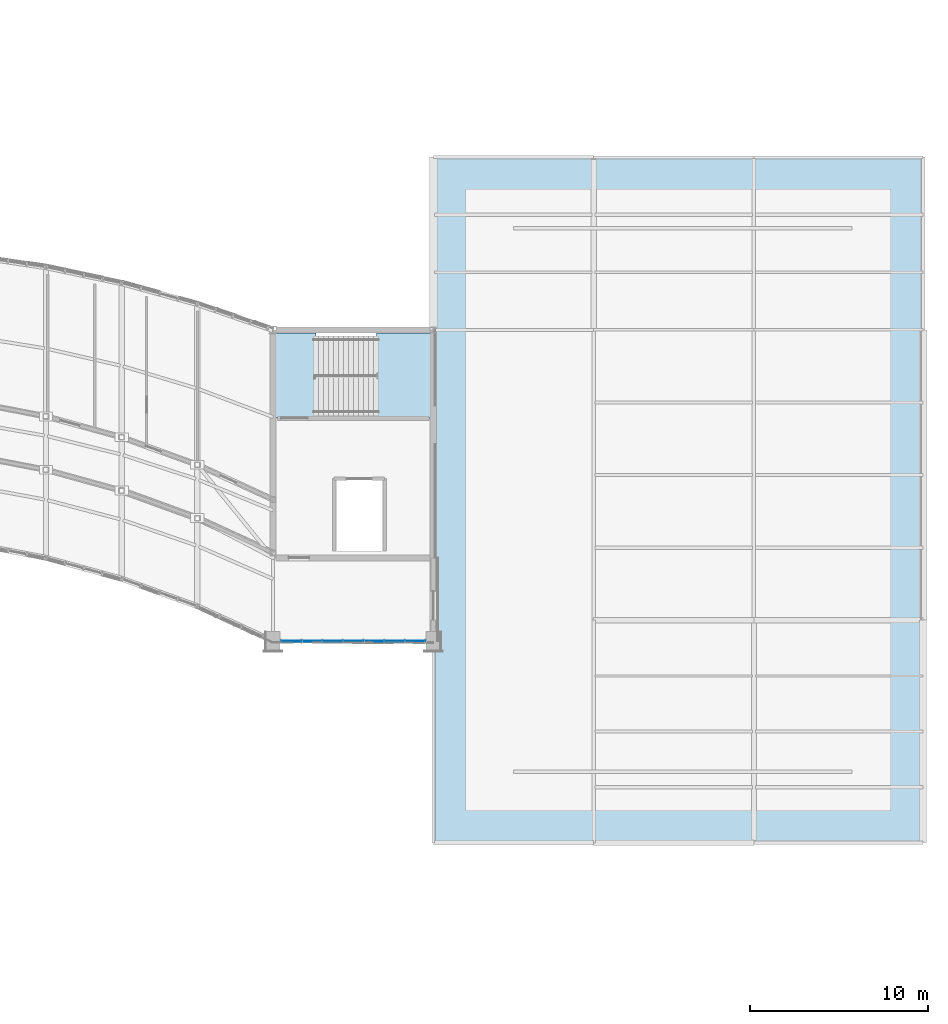
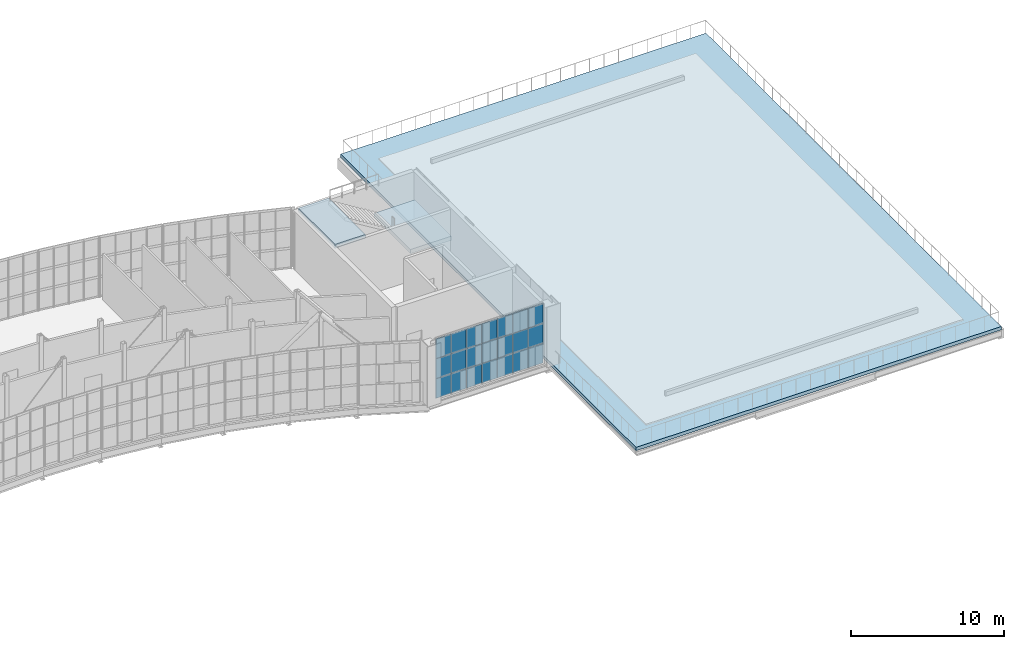
# One storey, part 48 of 66: 21 plates, 3 slabs, 2 elements without a shape of their own.
"""IFC4 building model written with IfcOpenShell, lengths in metres."""

from ifc_helpers import new_model, si_unit, direction, frame, origin, origin_2d, place, context, subcontext, project, spatial, polyline, rectangle, outline, extrude, material, layer, layer_set, type_object, element, aggregate, save


model = new_model("IFC4")

# Units and contexts
model_context = context("Model", 3, precision=1e-05, world=origin(), true_north=direction((0.0, 1.0)))
body_context = subcontext(model_context, "Body", "Model", "MODEL_VIEW")
ifc_project = project(units=[si_unit("LENGTHUNIT", "METRE"), si_unit("AREAUNIT", "SQUARE_METRE"), si_unit("VOLUMEUNIT", "CUBIC_METRE"), si_unit("PLANEANGLEUNIT", "RADIAN"), si_unit("MASSUNIT", "GRAM", prefix="KILO")], contexts=[model_context])

# Site, building, storey
site_placement = place(None, origin())
site = spatial("IfcSite", under=ifc_project, at=site_placement, CompositionType="ELEMENT")
building_placement = place(site_placement, origin())
building = spatial("IfcBuilding", under=site, at=building_placement, Name="Solvikara Media Centre", CompositionType="ELEMENT")
storey_placement = place(building_placement, frame((0.0, 0.0, 19.800048828125)))
storey = spatial("IfcBuildingStorey", under=building, at=storey_placement, Name="L04", CompositionType="ELEMENT", Elevation=19.800048828125)

# Curtain wall, plates
ifc_material_1 = material(Name="Anodised aluminium EN AW-6063", Category="aluminium")
curtain_wall_type = type_object("IfcCurtainWallType", Name="CW-10", PredefinedType="NOTDEFINED", material=ifc_material_1)
curtain_wall_placement = place(storey_placement, origin())
curtain_wall = element("IfcCurtainWall", 1, at=curtain_wall_placement, inside=storey, type_object=curtain_wall_type, Name="CW-L04-BHES", PredefinedType="NOTDEFINED")
ifc_material_2 = material(Name="Laminated solar-control cyan vision glass", Category="glass")
ifc_layer_1 = layer(ifc_material_2, 0.035888671875)
ifc_layer_set_1 = layer_set([ifc_layer_1], Name="Laminated solar-control cyan vision glass")
plate_type_1 = type_object("IfcPlateType", Name="PN-01", PredefinedType="CURTAIN_PANEL", material=ifc_layer_set_1)
plate_1_placement = place(storey_placement, frame((129.679931640625, 19.323974609375, 0.03466796875), z_axis=(0.0, 0.0, 1.0), x_axis=(1.0, 0.0, 0.0)))
plate_1 = element("IfcPlate", 2, at=plate_1_placement, type_object=plate_type_1, Name="CW-L04-BHES-P0100", PredefinedType="CURTAIN_PANEL", context=body_context, shape_type="SweptSolid", body=[
    extrude(rectangle(XDim=1.1298828125, YDim=0.035888671875, at=origin_2d()), origin(), (0.0, 0.0, 1.0), 1.556884765625),
])
plate_2_placement = place(storey_placement, frame((129.679931640625, 19.323974609375, 1.62158203125), z_axis=(0.0, 0.0, 1.0), x_axis=(1.0, 0.0, 0.0)))
plate_2 = element("IfcPlate", 3, at=plate_2_placement, type_object=plate_type_1, Name="CW-L04-BHES-P0101", PredefinedType="CURTAIN_PANEL", context=body_context, shape_type="SweptSolid", body=[
    extrude(rectangle(XDim=1.1298828125, YDim=0.035888671875, at=origin_2d()), origin(), (0.0, 0.0, 1.0), 1.556884765625),
])
plate_3_placement = place(storey_placement, frame((130.840087890625, 19.323974609375, 0.03466796875), z_axis=(0.0, 0.0, 1.0), x_axis=(1.0, 0.0, 0.0)))
plate_3 = element("IfcPlate", 4, at=plate_3_placement, type_object=plate_type_1, Name="CW-L04-BHES-P0200", PredefinedType="CURTAIN_PANEL", context=body_context, shape_type="SweptSolid", body=[
    extrude(rectangle(XDim=1.1298828125, YDim=0.035888671875, at=origin_2d()), origin(), (0.0, 0.0, 1.0), 1.556884765625),
])
plate_4_placement = place(storey_placement, frame((132.0, 19.323974609375, 0.03466796875), z_axis=(0.0, 0.0, 1.0), x_axis=(1.0, 0.0, 0.0)))
plate_4 = element("IfcPlate", 5, at=plate_4_placement, type_object=plate_type_1, Name="CW-L04-BHES-P0300", PredefinedType="CURTAIN_PANEL", context=body_context, shape_type="SweptSolid", body=[
    extrude(rectangle(XDim=1.1298828125, YDim=0.035888671875, at=origin_2d()), origin(), (0.0, 0.0, 1.0), 1.556884765625),
])
plate_5_placement = place(storey_placement, frame((132.0, 19.323974609375, 1.62158203125), z_axis=(0.0, 0.0, 1.0), x_axis=(1.0, 0.0, 0.0)))
plate_5 = element("IfcPlate", 6, at=plate_5_placement, type_object=plate_type_1, Name="CW-L04-BHES-P0301", PredefinedType="CURTAIN_PANEL", context=body_context, shape_type="SweptSolid", body=[
    extrude(rectangle(XDim=1.1298828125, YDim=0.035888671875, at=origin_2d()), origin(), (0.0, 0.0, 1.0), 1.556884765625),
])
plate_6_placement = place(storey_placement, frame((132.0, 19.323974609375, 3.20849609375), z_axis=(0.0, 0.0, 1.0), x_axis=(1.0, 0.0, 0.0)))
plate_6 = element("IfcPlate", 7, at=plate_6_placement, type_object=plate_type_1, Name="CW-L04-BHES-P0302", PredefinedType="CURTAIN_PANEL", context=body_context, shape_type="SweptSolid", body=[
    extrude(rectangle(XDim=1.1298828125, YDim=0.035888671875, at=origin_2d()), origin(), (0.0, 0.0, 1.0), 1.556884765625),
])
plate_7_placement = place(storey_placement, frame((133.159912109375, 19.323974609375, 0.03466796875), z_axis=(0.0, 0.0, 1.0), x_axis=(1.0, 0.0, 0.0)))
plate_7 = element("IfcPlate", 8, at=plate_7_placement, type_object=plate_type_1, Name="CW-L04-BHES-P0400", PredefinedType="CURTAIN_PANEL", context=body_context, shape_type="SweptSolid", body=[
    extrude(rectangle(XDim=1.1298828125, YDim=0.035888671875, at=origin_2d()), origin(), (0.0, 0.0, 1.0), 1.556884765625),
])
plate_8_placement = place(storey_placement, frame((133.159912109375, 19.323974609375, 3.20849609375), z_axis=(0.0, 0.0, 1.0), x_axis=(1.0, 0.0, 0.0)))
plate_8 = element("IfcPlate", 9, at=plate_8_placement, type_object=plate_type_1, Name="CW-L04-BHES-P0402", PredefinedType="CURTAIN_PANEL", context=body_context, shape_type="SweptSolid", body=[
    extrude(rectangle(XDim=1.1298828125, YDim=0.035888671875, at=origin_2d()), origin(), (0.0, 0.0, 1.0), 1.556884765625),
])
plate_9_placement = place(storey_placement, frame((135.47998046875, 19.323974609375, 0.03466796875), z_axis=(0.0, 0.0, 1.0), x_axis=(1.0, 0.0, 0.0)))
plate_9 = element("IfcPlate", 10, at=plate_9_placement, type_object=plate_type_1, Name="CW-L04-BHES-P0600", PredefinedType="CURTAIN_PANEL", context=body_context, shape_type="SweptSolid", body=[
    extrude(rectangle(XDim=1.1298828125, YDim=0.035888671875, at=origin_2d()), origin(), (0.0, 0.0, 1.0), 1.556884765625),
])
plate_10_placement = place(storey_placement, frame((135.47998046875, 19.323974609375, 1.62158203125), z_axis=(0.0, 0.0, 1.0), x_axis=(1.0, 0.0, 0.0)))
plate_10 = element("IfcPlate", 11, at=plate_10_placement, type_object=plate_type_1, Name="CW-L04-BHES-P0601", PredefinedType="CURTAIN_PANEL", context=body_context, shape_type="SweptSolid", body=[
    extrude(rectangle(XDim=1.1298828125, YDim=0.035888671875, at=origin_2d()), origin(), (0.0, 0.0, 1.0), 1.556884765625),
])
plate_11_placement = place(storey_placement, frame((135.47998046875, 19.323974609375, 3.20849609375), z_axis=(0.0, 0.0, 1.0), x_axis=(1.0, 0.0, 0.0)))
plate_11 = element("IfcPlate", 12, at=plate_11_placement, type_object=plate_type_1, Name="CW-L04-BHES-P0602", PredefinedType="CURTAIN_PANEL", context=body_context, shape_type="SweptSolid", body=[
    extrude(rectangle(XDim=1.1298828125, YDim=0.035888671875, at=origin_2d()), origin(), (0.0, 0.0, 1.0), 1.556884765625),
])
ifc_material_3 = material(Name="Ceramic-fritted teal low-E glass", Category="glass")
ifc_layer_2 = layer(ifc_material_3, 0.0419921875)
ifc_layer_set_2 = layer_set([ifc_layer_2], Name="Ceramic-fritted teal low-E glass")
plate_type_2 = type_object("IfcPlateType", Name="PN-02", PredefinedType="CURTAIN_PANEL", material=ifc_layer_set_2)
plate_12_placement = place(storey_placement, frame((129.679931640625, 19.323974609375, 3.20849609375), z_axis=(0.0, 0.0, 1.0), x_axis=(1.0, 0.0, 0.0)))
plate_12 = element("IfcPlate", 13, at=plate_12_placement, type_object=plate_type_2, Name="CW-L04-BHES-P0102", PredefinedType="CURTAIN_PANEL", context=body_context, shape_type="SweptSolid", body=[
    extrude(rectangle(XDim=1.1298828125, YDim=0.0419921875, at=origin_2d()), origin(), (0.0, 0.0, 1.0), 1.556884765625),
])
plate_13_placement = place(storey_placement, frame((130.840087890625, 19.323974609375, 1.62158203125), z_axis=(0.0, 0.0, 1.0), x_axis=(1.0, 0.0, 0.0)))
plate_13 = element("IfcPlate", 14, at=plate_13_placement, type_object=plate_type_2, Name="CW-L04-BHES-P0201", PredefinedType="CURTAIN_PANEL", context=body_context, shape_type="SweptSolid", body=[
    extrude(rectangle(XDim=1.1298828125, YDim=0.0419921875, at=origin_2d()), origin(), (0.0, 0.0, 1.0), 1.556884765625),
])
plate_14_placement = place(storey_placement, frame((133.159912109375, 19.323974609375, 1.62158203125), z_axis=(0.0, 0.0, 1.0), x_axis=(1.0, 0.0, 0.0)))
plate_14 = element("IfcPlate", 15, at=plate_14_placement, type_object=plate_type_2, Name="CW-L04-BHES-P0401", PredefinedType="CURTAIN_PANEL", context=body_context, shape_type="SweptSolid", body=[
    extrude(rectangle(XDim=1.1298828125, YDim=0.0419921875, at=origin_2d()), origin(), (0.0, 0.0, 1.0), 1.556884765625),
])
ifc_material_4 = material(Name="Insulated silver-pearl glass spandrel panel", Category="glass")
ifc_layer_3 = layer(ifc_material_4, 0.054931640625)
ifc_layer_set_3 = layer_set([ifc_layer_3], Name="Insulated silver-pearl glass spandrel panel")
plate_type_3 = type_object("IfcPlateType", Name="PN-03", PredefinedType="CURTAIN_PANEL", material=ifc_layer_set_3)
plate_15_placement = place(storey_placement, frame((128.52001953125, 19.323974609375, 0.03466796875), z_axis=(0.0, 0.0, 1.0), x_axis=(1.0, 0.0, 0.0)))
plate_15 = element("IfcPlate", 16, at=plate_15_placement, type_object=plate_type_3, Name="CW-L04-BHES-P0000", PredefinedType="CURTAIN_PANEL", context=body_context, shape_type="SweptSolid", body=[
    extrude(rectangle(XDim=1.1298828125, YDim=0.054931640625, at=origin_2d()), origin(), (0.0, 0.0, 1.0), 1.556884765625),
])
plate_16_placement = place(storey_placement, frame((128.52001953125, 19.323974609375, 1.62158203125), z_axis=(0.0, 0.0, 1.0), x_axis=(1.0, 0.0, 0.0)))
plate_16 = element("IfcPlate", 17, at=plate_16_placement, type_object=plate_type_3, Name="CW-L04-BHES-P0001", PredefinedType="CURTAIN_PANEL", context=body_context, shape_type="SweptSolid", body=[
    extrude(rectangle(XDim=1.1298828125, YDim=0.054931640625, at=origin_2d()), origin(), (0.0, 0.0, 1.0), 1.556884765625),
])
plate_17_placement = place(storey_placement, frame((128.52001953125, 19.323974609375, 3.20849609375), z_axis=(0.0, 0.0, 1.0), x_axis=(1.0, 0.0, 0.0)))
plate_17 = element("IfcPlate", 18, at=plate_17_placement, type_object=plate_type_3, Name="CW-L04-BHES-P0002", PredefinedType="CURTAIN_PANEL", context=body_context, shape_type="SweptSolid", body=[
    extrude(rectangle(XDim=1.1298828125, YDim=0.054931640625, at=origin_2d()), origin(), (0.0, 0.0, 1.0), 1.556884765625),
])
plate_18_placement = place(storey_placement, frame((130.840087890625, 19.323974609375, 3.20849609375), z_axis=(0.0, 0.0, 1.0), x_axis=(1.0, 0.0, 0.0)))
plate_18 = element("IfcPlate", 19, at=plate_18_placement, type_object=plate_type_3, Name="CW-L04-BHES-P0202", PredefinedType="CURTAIN_PANEL", context=body_context, shape_type="SweptSolid", body=[
    extrude(rectangle(XDim=1.1298828125, YDim=0.054931640625, at=origin_2d()), origin(), (0.0, 0.0, 1.0), 1.556884765625),
])
plate_19_placement = place(storey_placement, frame((134.320068359375, 19.323974609375, 0.03466796875), z_axis=(0.0, 0.0, 1.0), x_axis=(1.0, 0.0, 0.0)))
plate_19 = element("IfcPlate", 20, at=plate_19_placement, type_object=plate_type_3, Name="CW-L04-BHES-P0500", PredefinedType="CURTAIN_PANEL", context=body_context, shape_type="SweptSolid", body=[
    extrude(rectangle(XDim=1.1298828125, YDim=0.054931640625, at=origin_2d()), origin(), (0.0, 0.0, 1.0), 1.556884765625),
])
plate_20_placement = place(storey_placement, frame((134.320068359375, 19.323974609375, 1.62158203125), z_axis=(0.0, 0.0, 1.0), x_axis=(1.0, 0.0, 0.0)))
plate_20 = element("IfcPlate", 21, at=plate_20_placement, type_object=plate_type_3, Name="CW-L04-BHES-P0501", PredefinedType="CURTAIN_PANEL", context=body_context, shape_type="SweptSolid", body=[
    extrude(rectangle(XDim=1.1298828125, YDim=0.054931640625, at=origin_2d()), origin(), (0.0, 0.0, 1.0), 1.556884765625),
])
plate_21_placement = place(storey_placement, frame((134.320068359375, 19.323974609375, 3.20849609375), z_axis=(0.0, 0.0, 1.0), x_axis=(1.0, 0.0, 0.0)))
plate_21 = element("IfcPlate", 22, at=plate_21_placement, type_object=plate_type_3, Name="CW-L04-BHES-P0502", PredefinedType="CURTAIN_PANEL", context=body_context, shape_type="SweptSolid", body=[
    extrude(rectangle(XDim=1.1298828125, YDim=0.054931640625, at=origin_2d()), origin(), (0.0, 0.0, 1.0), 1.556884765625),
])
aggregate(curtain_wall, [plate_15, plate_16, plate_17, plate_1, plate_2, plate_12, plate_3, plate_13, plate_18, plate_4, plate_5, plate_6, plate_7, plate_14, plate_8, plate_19, plate_20, plate_21, plate_9, plate_10, plate_11])

# Slab
ifc_material_5 = material(Name="Concrete fc' 35 MPa (C35/45)", Category="concrete")
ifc_layer_4 = layer(ifc_material_5, 0.27001953125)
ifc_layer_set_4 = layer_set([ifc_layer_4], Name="Concrete fc' 35 MPa (C35/45)")
slab_type_1 = type_object("IfcSlabType", Name="ST-11", PredefinedType="FLOOR", material=ifc_layer_set_4)
slab_1_placement = place(storey_placement, frame((0.0, 0.0, -0.27001953125)))
element("IfcSlab", 23, at=slab_1_placement, inside=storey, type_object=slab_type_1, Name="TER-L04-V5", PredefinedType="FLOOR", context=body_context, shape_type="SweptSolid", body=[
    extrude(outline(polyline([(136.5, 8.0), (164.0, 8.0), (164.0, 46.5), (136.5, 46.5), (136.5, 8.0)])), origin(), (0.0, 0.0, 1.0), 0.27001953125),
])

# Stair, slabs
stair_type = type_object("IfcStairType", Name="SR-01", PredefinedType="HALF_TURN_STAIR", material=ifc_material_5)
stair_placement = place(storey_placement, origin())
stair = element("IfcStair", 24, at=stair_placement, inside=storey, type_object=stair_type, Name="ST-C4-L04", PredefinedType="HALF_TURN_STAIR")
ifc_layer_5 = layer(ifc_material_5, 0.330078125)
ifc_layer_set_5 = layer_set([ifc_layer_5], Name="Concrete fc' 35 MPa (C35/45)")
slab_type_2 = type_object("IfcSlabType", Name="ST-15", PredefinedType="LANDING", material=ifc_layer_set_5)
slab_2_placement = place(storey_placement, frame((0.0, 0.0, 2.070068359375)))
slab_2 = element("IfcSlab", 25, at=slab_2_placement, type_object=slab_type_2, Name="ST-C4-L04-LND", PredefinedType="LANDING", context=body_context, shape_type="SweptSolid", body=[
    extrude(outline(polyline([(133.300048828125, 31.85009765625), (136.3798828125, 31.85009765625), (136.3798828125, 36.6201171875), (133.300048828125, 36.6201171875), (133.300048828125, 31.85009765625)])), origin(), (0.0, 0.0, 1.0), 0.329833984375),
])
slab_3_placement = place(storey_placement, frame((0.0, 0.0, 4.469970703125)))
slab_3 = element("IfcSlab", 26, at=slab_3_placement, type_object=slab_type_2, Name="ST-C4-L04-ARR", PredefinedType="LANDING", context=body_context, shape_type="SweptSolid", body=[
    extrude(outline(polyline([(127.6201171875, 31.85009765625), (129.89990234375, 31.85009765625), (129.89990234375, 36.6201171875), (127.6201171875, 36.6201171875), (127.6201171875, 31.85009765625)])), origin(), (0.0, 0.0, 1.0), 0.330078125),
])
aggregate(stair, [slab_2, slab_3])

save(model, "model.ifc")
